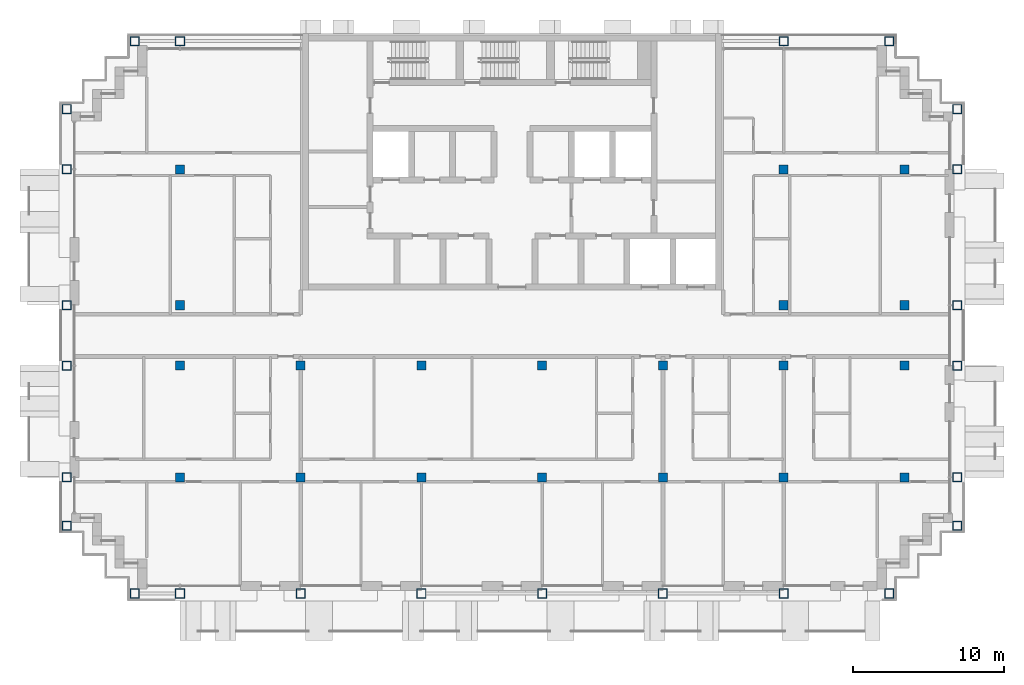
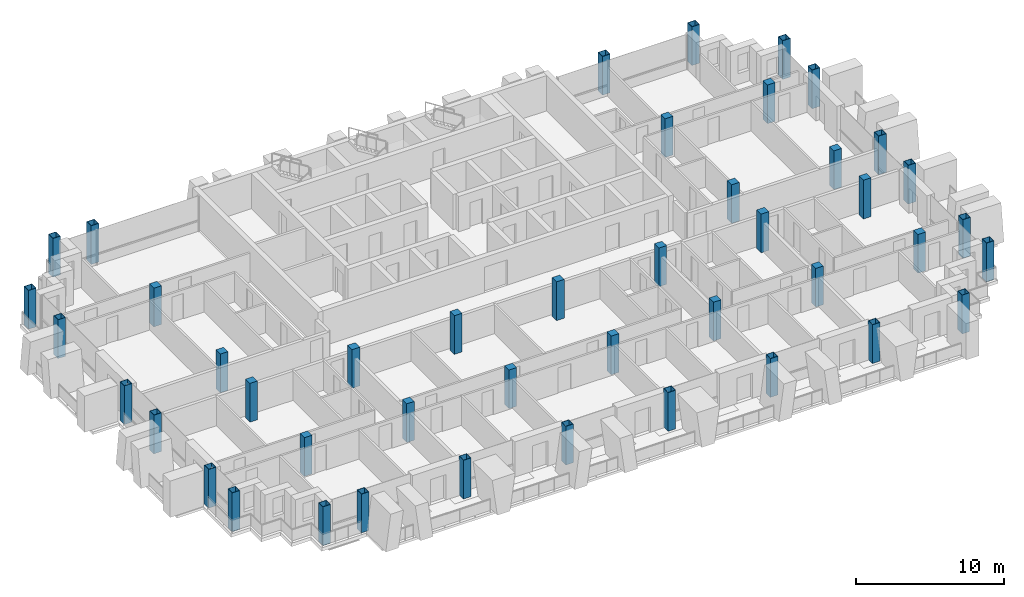
# One storey, part 1 of 16: 44 columns.
"""IFC4 building model written with IfcOpenShell, lengths in metres."""

from ifc_helpers import new_model, si_unit, direction, frame, origin, origin_2d, place, context, subcontext, project, spatial, rectangle, hollow_rectangle, extrude, material, material_profile, profile_set, type_object, element, save


model = new_model("IFC4")

# Units and contexts
model_context = context("Model", 3, precision=1e-05, world=origin(), true_north=direction((0.0, 1.0)))
body_context = subcontext(model_context, "Body", "Model", "MODEL_VIEW")
ifc_project = project(units=[si_unit("LENGTHUNIT", "METRE"), si_unit("AREAUNIT", "SQUARE_METRE"), si_unit("VOLUMEUNIT", "CUBIC_METRE"), si_unit("PLANEANGLEUNIT", "RADIAN"), si_unit("MASSUNIT", "GRAM", prefix="KILO")], contexts=[model_context])

# Site, building, storey
site_placement = place(None, origin())
site = spatial("IfcSite", under=ifc_project, at=site_placement, CompositionType="ELEMENT")
building_placement = place(site_placement, origin())
building = spatial("IfcBuilding", under=site, at=building_placement, Name="Vidyagriha Tower", CompositionType="ELEMENT")
storey_placement = place(building_placement, frame((0.0, 0.0, 207.60009765625)))
storey = spatial("IfcBuildingStorey", under=building, at=storey_placement, Name="L53", CompositionType="ELEMENT", Elevation=207.60009765625)

# Columns
ifc_material_1 = material(Name="Steel ASTM A572 Grade 50", Category="steel")
ifc_material_profile_1 = material_profile(ifc_material_1, hollow_rectangle(XDim=0.60009765625, YDim=0.60009765625, WallThickness=0.030029296875, at=origin_2d()), Name="BOX 600x600x30")
ifc_profile_set_1 = profile_set([ifc_material_profile_1], Name="Steel ASTM A572 Grade 50")
column_type_1 = type_object("IfcColumnType", Name="Exoskeleton column BOX 600x600x30", PredefinedType="COLUMN", material=ifc_profile_set_1)
for number, where, name in (
    (1, (-25.0, -17.10009765625, 0.0), "st-col-L53-B5-001"),
    (2, (-22.0, -17.10009765625, 0.0), "st-col-L53-B5-002"),
    (3, (-14.0, -17.10009765625, 0.0), "st-col-L53-B5-003"),
    (4, (-6.0, -17.10009765625, 0.0), "st-col-L53-B5-004"),
    (5, (2.0, -17.10009765625, 0.0), "st-col-L53-B5-005"),
    (6, (10.0, -17.10009765625, 0.0), "st-col-L53-B5-006"),
    (7, (18.0, -17.10009765625, 0.0), "st-col-L53-B5-007"),
    (8, (25.0, -17.10009765625, 0.0), "st-col-L53-B5-008"),
    (9, (-29.5, -12.60009765625, 0.0), "st-col-L53-B5-009"),
    (10, (29.5, -12.60009765625, 0.0), "st-col-L53-B5-010"),
    (11, (-29.5, -9.39990234375, 0.0), "st-col-L53-B5-011"),
    (12, (29.5, -9.39990234375, 0.0), "st-col-L53-B5-019"),
    (13, (-29.5, -2.0, 0.0), "st-col-L53-B5-020"),
    (14, (29.5, -2.0, 0.0), "st-col-L53-B5-028"),
    (15, (-29.5, 2.0, 0.0), "st-col-L53-B5-029"),
    (16, (29.5, 2.0, 0.0), "st-col-L53-B5-033"),
    (17, (-29.5, 11.0, 0.0), "st-col-L53-B5-034"),
    (18, (29.5, 11.0, 0.0), "st-col-L53-B5-038"),
    (19, (-29.5, 15.0, 0.0), "st-col-L53-B5-039"),
    (20, (29.5, 15.0, 0.0), "st-col-L53-B5-040"),
    (21, (-25.0, 19.5, 0.0), "st-col-L53-B5-041"),
    (22, (-22.0, 19.5, 0.0), "st-col-L53-B5-042"),
    (23, (18.0, 19.5, 0.0), "st-col-L53-B5-043"),
    (24, (25.0, 19.5, 0.0), "st-col-L53-B5-044"),
):
    element("IfcColumn", number, at=place(storey_placement, frame(where)), inside=storey, type_object=column_type_1, Name=name, PredefinedType="COLUMN", context=body_context, shape_type="SweptSolid", body=[
        extrude(hollow_rectangle(XDim=0.60009765625, YDim=0.60009765625, WallThickness=0.030029296875, at=origin_2d()), origin(), (0.0, 0.0, 1.0), 3.199951171875),
    ])
ifc_material_2 = material(Name="Concrete C60/75", Category="concrete")
ifc_material_profile_2 = material_profile(ifc_material_2, rectangle(XDim=0.60009765625, YDim=0.60009765625, at=origin_2d()), Name="RC 600x600")
ifc_profile_set_2 = profile_set([ifc_material_profile_2], Name="Concrete C60/75")
column_type_2 = type_object("IfcColumnType", Name="Frame column RC 600x600", PredefinedType="COLUMN", material=ifc_profile_set_2)
for number, where, name in (
    (25, (-22.0, -9.39990234375, 0.0), "st-col-L53-B5-012"),
    (26, (-14.0, -9.39990234375, 0.0), "st-col-L53-B5-013"),
    (27, (-6.0, -9.39990234375, 0.0), "st-col-L53-B5-014"),
    (28, (2.0, -9.39990234375, 0.0), "st-col-L53-B5-015"),
    (29, (10.0, -9.39990234375, 0.0), "st-col-L53-B5-016"),
    (30, (18.0, -9.39990234375, 0.0), "st-col-L53-B5-017"),
    (31, (26.0, -9.39990234375, 0.0), "st-col-L53-B5-018"),
    (32, (-22.0, -2.0, 0.0), "st-col-L53-B5-021"),
    (33, (-14.0, -2.0, 0.0), "st-col-L53-B5-022"),
    (34, (-6.0, -2.0, 0.0), "st-col-L53-B5-023"),
    (35, (2.0, -2.0, 0.0), "st-col-L53-B5-024"),
    (36, (10.0, -2.0, 0.0), "st-col-L53-B5-025"),
    (37, (18.0, -2.0, 0.0), "st-col-L53-B5-026"),
    (38, (26.0, -2.0, 0.0), "st-col-L53-B5-027"),
    (39, (-22.0, 2.0, 0.0), "st-col-L53-B5-030"),
    (40, (18.0, 2.0, 0.0), "st-col-L53-B5-031"),
    (41, (26.0, 2.0, 0.0), "st-col-L53-B5-032"),
    (42, (-22.0, 11.0, 0.0), "st-col-L53-B5-035"),
    (43, (18.0, 11.0, 0.0), "st-col-L53-B5-036"),
    (44, (26.0, 11.0, 0.0), "st-col-L53-B5-037"),
):
    element("IfcColumn", number, at=place(storey_placement, frame(where)), inside=storey, type_object=column_type_2, Name=name, PredefinedType="COLUMN", context=body_context, shape_type="SweptSolid", body=[
        extrude(rectangle(XDim=0.60009765625, YDim=0.60009765625, at=origin_2d()), origin(), (0.0, 0.0, 1.0), 3.199951171875),
    ])

save(model, "model.ifc")
